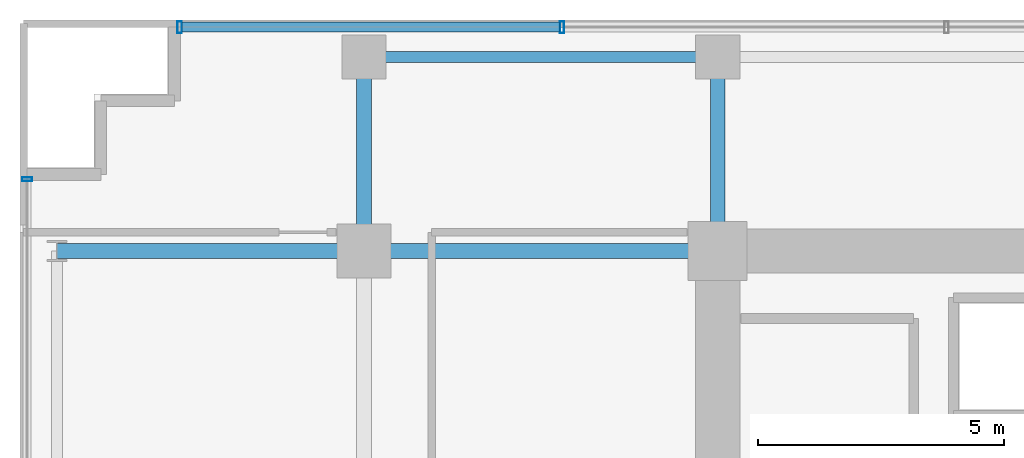
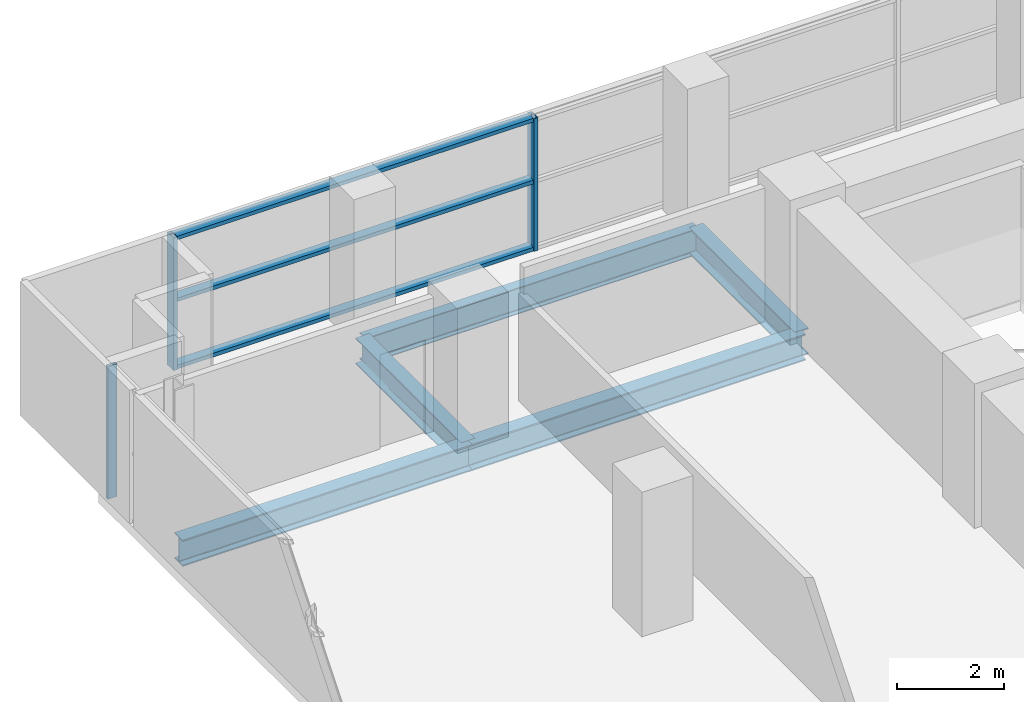
# One storey, part 13 of 27: 6 members, 5 beams, 2 elements without a shape of their own.
"""IFC4 building model written with IfcOpenShell, lengths in metres."""

from ifc_helpers import new_model, si_unit, direction, frame, origin, origin_2d, place, context, subcontext, project, spatial, hollow_rectangle, i_section, extrude, source, transform, mapped, material, layer, layer_set, material_profile, profile_set, type_object, element, aggregate, save


model = new_model("IFC4")

# Units and contexts
model_context = context("Model", 3, precision=1e-05, world=origin(), true_north=direction((0.0, 1.0)))
body_context = subcontext(model_context, "Body", "Model", "MODEL_VIEW")
ifc_project = project(units=[si_unit("LENGTHUNIT", "METRE"), si_unit("AREAUNIT", "SQUARE_METRE"), si_unit("VOLUMEUNIT", "CUBIC_METRE"), si_unit("PLANEANGLEUNIT", "RADIAN"), si_unit("MASSUNIT", "GRAM", prefix="KILO")], contexts=[model_context])

# Site, building, storey
site_placement = place(None, origin())
site = spatial("IfcSite", under=ifc_project, at=site_placement, CompositionType="ELEMENT")
building_placement = place(site_placement, origin())
building = spatial("IfcBuilding", under=site, at=building_placement, Name="Zarnakvel Exchange Tower", CompositionType="ELEMENT")
storey_placement = place(building_placement, frame((0.0, 0.0, 76.89990234375)))
storey = spatial("IfcBuildingStorey", under=building, at=storey_placement, Name="L21", CompositionType="ELEMENT", Elevation=76.89990234375)

# Beams
ifc_material_1 = material(Name="Steel S355", Category="steel")
ifc_material_profile_1 = material_profile(ifc_material_1, i_section(OverallWidth=0.300048828125, OverallDepth=0.60009765625, WebThickness=0.015380859375, FlangeThickness=0.030029296875, FilletRadius=0.027099609375, at=origin_2d()))
ifc_profile_set_1 = profile_set([ifc_material_profile_1], Name="Steel S355")
beam_type_1 = type_object("IfcBeamType", Name="G-04", PredefinedType="BEAM", material=ifc_profile_set_1)
beam_1_placement = place(storey_placement, frame((-27.85009765625, 13.5, -0.52490234375), z_axis=(1.0, 0.0, 0.0), x_axis=(0.0, 1.0, 0.0)))
element("IfcBeam", 1, at=beam_1_placement, inside=storey, type_object=beam_type_1, Name="L21 Tower E-W Frame Beam", PredefinedType="BEAM", context=body_context, shape_type="SweptSolid", body=[
    extrude(i_section(OverallWidth=0.300048828125, OverallDepth=0.60009765625, WebThickness=0.015380859375, FlangeThickness=0.030029296875, FilletRadius=0.027099609375, at=origin_2d()), origin(), (0.0, 0.0, 1.0), 6.25),
])
beam_2_placement = place(storey_placement, frame((-21.60009765625, 13.5, -0.52490234375), z_axis=(1.0, 0.0, 0.0), x_axis=(0.0, 1.0, 0.0)))
element("IfcBeam", 2, at=beam_2_placement, inside=storey, type_object=beam_type_1, Name="L21 Tower E-W Frame Beam", PredefinedType="BEAM", context=body_context, shape_type="SweptSolid", body=[
    extrude(i_section(OverallWidth=0.300048828125, OverallDepth=0.60009765625, WebThickness=0.015380859375, FlangeThickness=0.030029296875, FilletRadius=0.027099609375, at=origin_2d()), origin(), (0.0, 0.0, 1.0), 7.2001953125),
])
for number, where, z_axis, x_axis, name in (
    (3, (-21.60009765625, 13.5, -0.52490234375), (0.0, 1.0, 0.0), (-1.0, 0.0, 0.0), "L21 Tower N-S Frame Beam"),
    (4, (-14.39990234375, 13.5, -0.52490234375), (0.0, 1.0, 0.0), (-1.0, 0.0, 0.0), "L21 Tower N-S Frame Beam"),
):
    element("IfcBeam", number, at=place(storey_placement, frame(where, z_axis=z_axis, x_axis=x_axis)), inside=storey, type_object=beam_type_1, Name=name, PredefinedType="BEAM", context=body_context, shape_type="SweptSolid", body=[
        extrude(i_section(OverallWidth=0.300048828125, OverallDepth=0.60009765625, WebThickness=0.015380859375, FlangeThickness=0.030029296875, FilletRadius=0.027099609375, at=origin_2d()), origin(), (0.0, 0.0, 1.0), 3.949951171875),
    ])
ifc_material_profile_2 = material_profile(ifc_material_1, i_section(OverallWidth=0.219970703125, OverallDepth=0.60009765625, WebThickness=0.011962890625, FlangeThickness=0.01904296875, FilletRadius=0.02392578125, at=origin_2d()))
ifc_profile_set_2 = profile_set([ifc_material_profile_2], Name="Steel S355")
beam_type_2 = type_object("IfcBeamType", Name="SP-01", PredefinedType="SPANDREL", material=ifc_profile_set_2)
beam_3_placement = place(storey_placement, frame((-21.60009765625, 17.449951171875, -0.52490234375), z_axis=(1.0, 0.0, 0.0), x_axis=(0.0, 1.0, 0.0)))
element("IfcBeam", 5, at=beam_3_placement, inside=storey, type_object=beam_type_2, Name="L21 Tower E-W Frame Beam", PredefinedType="SPANDREL", context=body_context, shape_type="SweptSolid", body=[
    extrude(i_section(OverallWidth=0.219970703125, OverallDepth=0.60009765625, WebThickness=0.011962890625, FlangeThickness=0.01904296875, FilletRadius=0.02392578125, at=origin_2d()), origin(), (0.0, 0.0, 1.0), 7.2001953125),
])

# Curtain wall, members
ifc_material_2 = material(Name="Architectural Bronze Anodised Aluminium", Category="aluminium")
ifc_layer_1 = layer(ifc_material_2, 0.239990234375)
ifc_layer_set_1 = layer_set([ifc_layer_1], Name="Architectural Bronze Anodised Aluminium")
curtain_wall_type_1 = type_object("IfcCurtainWallType", Name="CW-02", PredefinedType="NOTDEFINED", material=ifc_layer_set_1)
curtain_wall_1_placement = place(storey_placement, origin())
curtain_wall_1 = element("IfcCurtainWall", 6, at=curtain_wall_1_placement, inside=storey, type_object=curtain_wall_type_1, Name="L21 Curtain Wall CW-L21-N1 (CW-02)", PredefinedType="NOTDEFINED")
ifc_material_profile_3 = material_profile(ifc_material_2, hollow_rectangle(XDim=0.199951171875, YDim=0.0849609375, WallThickness=0.0048828125, at=origin_2d()))
ifc_profile_set_3 = profile_set([ifc_material_profile_3], Name="Architectural Bronze Anodised Aluminium")
member_type_1 = type_object("IfcMemberType", Name="CWT-02", PredefinedType="USERDEFINED", material=ifc_profile_set_3)
shared_shape_1 = source(origin(), body_context, "Body", "SweptSolid", [
    extrude(hollow_rectangle(XDim=0.199951171875, YDim=0.0849609375, WallThickness=0.0048828125, at=origin_2d()), origin(), (0.0, 0.0, 1.0), 7.693603515625),
])
member_1_placement = place(storey_placement, frame((-25.31005859375, 18.06005859375, 0.04248046875), z_axis=(1.0, 0.0, 0.0), x_axis=(0.0, 1.0, 0.0)))
member_1 = element("IfcMember", 7, at=member_1_placement, type_object=member_type_1, Name="CW-02 transom 1.1", ObjectType="TRANSOM", PredefinedType="USERDEFINED", context=body_context, shape_type="MappedRepresentation", body=[
    mapped(shared_shape_1, transform((0.0, 0.0, 0.0), x_axis=(1.0, 0.0, 0.0), y_axis=(0.0, 1.0, 0.0), z_axis=(0.0, 0.0, 1.0), scale=1.0)),
])
member_2_placement = place(storey_placement, frame((-25.31005859375, 18.06005859375, 1.57568359375), z_axis=(1.0, 0.0, 0.0), x_axis=(0.0, 1.0, 0.0)))
member_2 = element("IfcMember", 8, at=member_2_placement, type_object=member_type_1, Name="CW-02 transom 1.2", ObjectType="TRANSOM", PredefinedType="USERDEFINED", context=body_context, shape_type="MappedRepresentation", body=[
    mapped(shared_shape_1, transform((0.0, 0.0, 0.0), x_axis=(1.0, 0.0, 0.0), y_axis=(0.0, 1.0, 0.0), z_axis=(0.0, 0.0, 1.0), scale=1.0)),
])
member_3_placement = place(storey_placement, frame((-25.31005859375, 18.06005859375, 2.987548828125), z_axis=(1.0, 0.0, 0.0), x_axis=(0.0, 1.0, 0.0)))
member_3 = element("IfcMember", 9, at=member_3_placement, type_object=member_type_1, Name="CW-02 transom 1.3", ObjectType="TRANSOM", PredefinedType="USERDEFINED", context=body_context, shape_type="MappedRepresentation", body=[
    mapped(shared_shape_1, transform((0.0, 0.0, 0.0), x_axis=(1.0, 0.0, 0.0), y_axis=(0.0, 1.0, 0.0), z_axis=(0.0, 0.0, 1.0), scale=1.0)),
])
ifc_material_profile_4 = material_profile(ifc_material_2, hollow_rectangle(XDim=0.239990234375, YDim=0.090087890625, WallThickness=0.006103515625, at=origin_2d()))
ifc_profile_set_4 = profile_set([ifc_material_profile_4], Name="Architectural Bronze Anodised Aluminium")
member_type_2 = type_object("IfcMemberType", Name="CWM-02", PredefinedType="MULLION", material=ifc_profile_set_4)
shared_shape_2 = source(origin(), body_context, "Body", "SweptSolid", [
    extrude(hollow_rectangle(XDim=0.239990234375, YDim=0.090087890625, WallThickness=0.006103515625, at=origin_2d()), origin(), (0.0, 0.0, 1.0), 3.030029296875),
])
member_4_placement = place(storey_placement, frame((-25.35498046875, 18.06005859375, 0.0), z_axis=(0.0, 0.0, 1.0), x_axis=(0.0, 1.0, 0.0)))
member_4 = element("IfcMember", 10, at=member_4_placement, type_object=member_type_2, Name="CW-02 mullion 1", PredefinedType="MULLION", context=body_context, shape_type="MappedRepresentation", body=[
    mapped(shared_shape_2, transform((0.0, 0.0, 0.0), x_axis=(1.0, 0.0, 0.0), y_axis=(0.0, 1.0, 0.0), z_axis=(0.0, 0.0, 1.0), scale=1.0)),
])
member_5_placement = place(storey_placement, frame((-17.571533203125, 18.06005859375, 0.0), z_axis=(0.0, 0.0, 1.0), x_axis=(0.0, 1.0, 0.0)))
member_5 = element("IfcMember", 11, at=member_5_placement, type_object=member_type_2, Name="CW-02 mullion 2", PredefinedType="MULLION", context=body_context, shape_type="MappedRepresentation", body=[
    mapped(shared_shape_2, transform((0.0, 0.0, 0.0), x_axis=(1.0, 0.0, 0.0), y_axis=(0.0, 1.0, 0.0), z_axis=(0.0, 0.0, 1.0), scale=1.0)),
])
aggregate(curtain_wall_1, [member_4, member_5, member_1, member_2, member_3])

# Curtain wall, member
ifc_layer_2 = layer(ifc_material_2, 0.199951171875)
ifc_layer_set_2 = layer_set([ifc_layer_2], Name="Architectural Bronze Anodised Aluminium")
curtain_wall_type_2 = type_object("IfcCurtainWallType", Name="CW-04", PredefinedType="NOTDEFINED", material=ifc_layer_set_2)
curtain_wall_2_placement = place(storey_placement, origin())
curtain_wall_2 = element("IfcCurtainWall", 12, at=curtain_wall_2_placement, inside=storey, type_object=curtain_wall_type_2, Name="L21 Curtain Wall CW-L21-W1 (CW-04)", PredefinedType="NOTDEFINED")
ifc_material_profile_5 = material_profile(ifc_material_2, hollow_rectangle(XDim=0.199951171875, YDim=0.074951171875, WallThickness=0.0048828125, at=origin_2d()))
ifc_profile_set_5 = profile_set([ifc_material_profile_5], Name="Architectural Bronze Anodised Aluminium")
member_type_3 = type_object("IfcMemberType", Name="CWM-04", PredefinedType="MULLION", material=ifc_profile_set_5)
shared_shape_3 = source(origin(), body_context, "Body", "SweptSolid", [
    extrude(hollow_rectangle(XDim=0.199951171875, YDim=0.074951171875, WallThickness=0.0048828125, at=origin_2d()), origin(), (0.0, 0.0, 1.0), 3.030029296875),
])
member_6_placement = place(storey_placement, frame((-28.4599609375, 14.96240234375, 0.0), z_axis=(0.0, 0.0, 1.0), x_axis=(-1.0, 0.0, 0.0)))
member_6 = element("IfcMember", 13, at=member_6_placement, type_object=member_type_3, Name="CW-04 mullion 5", PredefinedType="MULLION", context=body_context, shape_type="MappedRepresentation", body=[
    mapped(shared_shape_3, transform((0.0, 0.0, 0.0), x_axis=(1.0, 0.0, 0.0), y_axis=(0.0, 1.0, 0.0), z_axis=(0.0, 0.0, 1.0), scale=1.0)),
])
aggregate(curtain_wall_2, [member_6])

save(model, "model.ifc")
